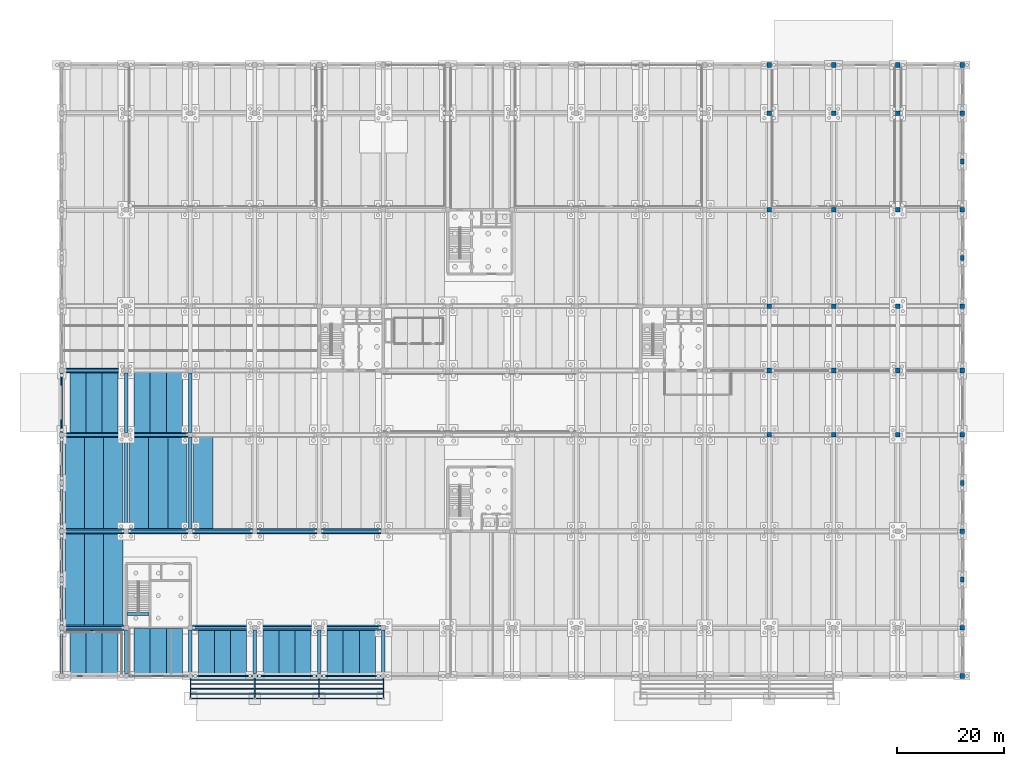
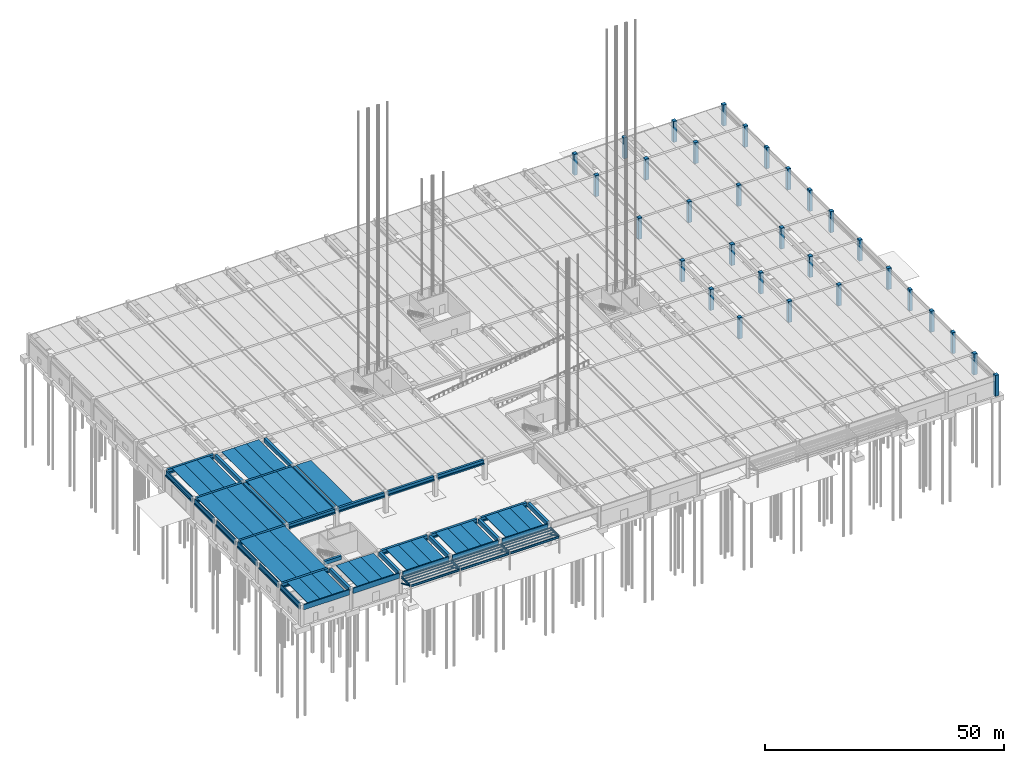
# One storey, part 12 of 59: 74 beams, 31 columns, 16 members.
"""IFC4 building model written with IfcOpenShell, lengths in metres."""

from ifc_helpers import new_model, si_unit, direction, frame, origin, origin_2d, place, context, subcontext, project, spatial, polyline, rectangle, hollow_rectangle, hollow_circle, i_section, outline, extrude, material, material_profile, profile_set, type_object, element, save


model = new_model("IFC4")

# Units and contexts
model_context = context("Model", 3, precision=1e-05, world=origin(), true_north=direction((0.0, 1.0)))
body_context = subcontext(model_context, "Body", "Model", "MODEL_VIEW")
ifc_project = project(units=[si_unit("LENGTHUNIT", "METRE"), si_unit("AREAUNIT", "SQUARE_METRE"), si_unit("VOLUMEUNIT", "CUBIC_METRE"), si_unit("PLANEANGLEUNIT", "RADIAN"), si_unit("MASSUNIT", "GRAM", prefix="KILO")], contexts=[model_context])

# Site, building, storey
site_placement = place(None, origin())
site = spatial("IfcSite", under=ifc_project, at=site_placement, CompositionType="ELEMENT")
building_placement = place(site_placement, origin())
building = spatial("IfcBuilding", under=site, at=building_placement, Name="Girod Span Mobility Hub", CompositionType="ELEMENT")
storey_placement = place(building_placement, origin())
storey = spatial("IfcBuildingStorey", under=building, at=storey_placement, Name="L00", CompositionType="ELEMENT", Elevation=0.0)

# Columns
ifc_material_1 = material(Name="Concrete C40/50", Category="concrete")
ifc_material_profile_1 = material_profile(ifc_material_1, rectangle(XDim=0.85009765625, YDim=0.85009765625, at=origin_2d()), Name="PC-COL-850X850")
ifc_profile_set_1 = profile_set([ifc_material_profile_1], Name="Concrete C40/50")
column_type_1 = type_object("IfcColumnType", Name="COL-PC-850X850", PredefinedType="COLUMN", material=ifc_profile_set_1)
for number, where, z_axis, x_axis, name in (
    (1, (132.0, 45.0, 0.0), (0.0, 0.0, 1.0), (1.0, 0.0, 0.0), "Column 12D L00"),
    (2, (132.0, 57.0, 0.0), (0.0, 0.0, 1.0), (1.0, 0.0, 0.0), "Column 12E L00"),
    (3, (132.0, 69.0, 0.0), (0.0, 0.0, 1.0), (1.0, 0.0, 0.0), "Column 12F L00"),
    (4, (132.0, 87.0, 0.0), (0.0, 0.0, 1.0), (1.0, 0.0, 0.0), "Column 12G L00"),
    (5, (132.0, 105.0, 0.0), (0.0, 0.0, 1.0), (1.0, 0.0, 0.0), "Column 12H L00"),
    (6, (132.0, 114.0, 0.0), (0.0, 0.0, 1.0), (1.0, 0.0, 0.0), "Column 12J L00"),
    (7, (144.0, 45.0, 0.0), (0.0, 0.0, 1.0), (1.0, 0.0, 0.0), "Column 13D L00"),
    (8, (144.0, 57.0, 0.0), (0.0, 0.0, 1.0), (1.0, 0.0, 0.0), "Column 13E L00"),
    (9, (144.0, 69.0, 0.0), (0.0, 0.0, 1.0), (1.0, 0.0, 0.0), "Column 13F L00"),
    (10, (144.0, 87.0, 0.0), (0.0, 0.0, 1.0), (1.0, 0.0, 0.0), "Column 13G L00"),
    (11, (144.0, 105.0, 0.0), (0.0, 0.0, 1.0), (1.0, 0.0, 0.0), "Column 13H L00"),
    (12, (144.0, 114.0, 0.0), (0.0, 0.0, 1.0), (1.0, 0.0, 0.0), "Column 13J L00"),
    (13, (156.0, 45.0, 0.0), (0.0, 0.0, 1.0), (1.0, 0.0, 0.0), "Column 14D L00"),
    (14, (156.0, 57.0, 0.0), (0.0, 0.0, 1.0), (1.0, 0.0, 0.0), "Column 14E L00"),
    (15, (156.0, 69.0, 0.0), (0.0, 0.0, 1.0), (1.0, 0.0, 0.0), "Column 14F L00"),
    (16, (156.0, 87.0, 0.0), (0.0, 0.0, 1.0), (1.0, 0.0, 0.0), "Column 14G L00"),
    (17, (156.0, 105.0, 0.0), (0.0, 0.0, 1.0), (1.0, 0.0, 0.0), "Column 14H L00"),
    (18, (156.0, 114.0, 0.0), (0.0, 0.0, 1.0), (1.0, 0.0, 0.0), "Column 14J L00"),
    (19, (168.0, 0.0, 0.0), (0.0, 0.0, 1.0), (1.0, 0.0, 0.0), "Column 15A L00"),
    (20, (168.0, 9.0, 0.0), (0.0, 0.0, 1.0), (1.0, 0.0, 0.0), "Column 15B L00"),
    (21, (168.0, 27.0, 0.0), (0.0, 0.0, 1.0), (1.0, 0.0, 0.0), "Column 15C L00"),
    (22, (168.0, 45.0, 0.0), (0.0, 0.0, 1.0), (1.0, 0.0, 0.0), "Column 15D L00"),
    (23, (168.0, 57.0, 0.0), (0.0, 0.0, 1.0), (1.0, 0.0, 0.0), "Column 15E L00"),
    (24, (168.0, 69.0, 0.0), (0.0, 0.0, 1.0), (1.0, 0.0, 0.0), "Column 15F L00"),
    (25, (168.0, 87.0, 0.0), (0.0, 0.0, 1.0), (1.0, 0.0, 0.0), "Column 15G L00"),
    (26, (168.0, 105.0, 0.0), (0.0, 0.0, 1.0), (1.0, 0.0, 0.0), "Column 15H L00"),
    (27, (168.0, 114.0, 0.0), (0.0, 0.0, 1.0), (1.0, 0.0, 0.0), "Column 15J L00"),
):
    element("IfcColumn", number, at=place(storey_placement, frame(where, z_axis=z_axis, x_axis=x_axis)), inside=storey, type_object=column_type_1, Name=name, PredefinedType="COLUMN", context=body_context, shape_type="SweptSolid", body=[
        extrude(rectangle(XDim=0.85009765625, YDim=0.85009765625, at=origin_2d()), origin(), (0.0, 0.0, 1.0), 5.39990234375),
    ])
ifc_material_2 = material(Name="Concrete C40/50", Category="concrete")
ifc_material_profile_2 = material_profile(ifc_material_2, rectangle(XDim=0.699951171875, YDim=0.949951171875, at=origin_2d()), Name="PC-PIL-700X950")
ifc_profile_set_2 = profile_set([ifc_material_profile_2], Name="Concrete C40/50")
column_type_2 = type_object("IfcColumnType", Name="PIL-PC-700X950", PredefinedType="PILASTER", material=ifc_profile_set_2)
for number, where, z_axis, x_axis, name in (
    (28, (168.0, 18.0, 0.0), (0.0, 0.0, 1.0), (1.0, 0.0, 0.0), "Precast Pilaster PIL-E-18 L00"),
    (29, (168.0, 36.0, 0.0), (0.0, 0.0, 1.0), (1.0, 0.0, 0.0), "Precast Pilaster PIL-E-36 L00"),
    (30, (168.0, 78.0, 0.0), (0.0, 0.0, 1.0), (1.0, 0.0, 0.0), "Precast Pilaster PIL-E-78 L00"),
    (31, (168.0, 96.0, 0.0), (0.0, 0.0, 1.0), (1.0, 0.0, 0.0), "Precast Pilaster PIL-E-96 L00"),
):
    element("IfcColumn", number, at=place(storey_placement, frame(where, z_axis=z_axis, x_axis=x_axis)), inside=storey, type_object=column_type_2, Name=name, PredefinedType="PILASTER", context=body_context, shape_type="SweptSolid", body=[
        extrude(rectangle(XDim=0.699951171875, YDim=0.949951171875, at=origin_2d()), origin(), (0.0, 0.0, 1.0), 5.39990234375),
    ])

# Beams
ifc_material_3 = material(Name="Concrete C50/60", Category="concrete")
ifc_material_profile_3 = material_profile(ifc_material_3, outline(polyline([(-1.5, 0.35009765625), (-1.5, 0.2548828125), (-0.840087890625, 0.2548828125), (-0.81494140625, -0.35009765625), (-0.68505859375, -0.35009765625), (-0.659912109375, 0.2548828125), (0.659912109375, 0.2548828125), (0.68505859375, -0.35009765625), (0.81494140625, -0.35009765625), (0.840087890625, 0.2548828125), (1.5, 0.2548828125), (1.5, 0.35009765625), (-1.5, 0.35009765625)])), Name="DT-3000X700")
ifc_profile_set_3 = profile_set([ifc_material_profile_3], Name="Concrete C50/60")
beam_type_1 = type_object("IfcBeamType", Name="BM-DT-3000X700", PredefinedType="JOIST", material=ifc_profile_set_3)
for number, where, z_axis, x_axis, name in (
    (32, (3.0, 0.02197265625, 4.85009765625), (0.0, 1.0, 0.0), (-1.0, 0.0, 0.0), "Double-Tee Deck 1/A-1 L00"),
    (33, (6.0, 0.02197265625, 4.85009765625), (0.0, 1.0, 0.0), (-1.0, 0.0, 0.0), "Double-Tee Deck 1/A-2 L00"),
    (34, (9.0, 0.02197265625, 4.85009765625), (0.0, 1.0, 0.0), (-1.0, 0.0, 0.0), "Double-Tee Deck 1/A-3 L00"),
):
    element("IfcBeam", number, at=place(storey_placement, frame(where, z_axis=z_axis, x_axis=x_axis)), inside=storey, type_object=beam_type_1, Name=name, PredefinedType="JOIST", context=body_context, shape_type="SweptSolid", body=[
        extrude(outline(polyline([(-1.5, 0.35009765625), (-1.5, 0.2548828125), (-0.840087890625, 0.2548828125), (-0.81494140625, -0.35009765625), (-0.68505859375, -0.35009765625), (-0.659912109375, 0.2548828125), (0.659912109375, 0.2548828125), (0.68505859375, -0.35009765625), (0.81494140625, -0.35009765625), (0.840087890625, 0.2548828125), (1.5, 0.2548828125), (1.5, 0.35009765625), (-1.5, 0.35009765625)])), origin(), (0.0, 0.0, 1.0), 8.7060546875),
    ])
for number, where, z_axis, x_axis, name in (
    (35, (3.0, 45.27197265625, 4.85009765625), (0.0, 1.0, 0.0), (-1.0, 0.0, 0.0), "Double-Tee Deck 1/D-1 L00"),
    (36, (6.0, 45.27197265625, 4.85009765625), (0.0, 1.0, 0.0), (-1.0, 0.0, 0.0), "Double-Tee Deck 1/D-2 L00"),
    (37, (9.0, 45.27197265625, 4.85009765625), (0.0, 1.0, 0.0), (-1.0, 0.0, 0.0), "Double-Tee Deck 1/D-3 L00"),
):
    element("IfcBeam", number, at=place(storey_placement, frame(where, z_axis=z_axis, x_axis=x_axis)), inside=storey, type_object=beam_type_1, Name=name, PredefinedType="JOIST", context=body_context, shape_type="SweptSolid", body=[
        extrude(outline(polyline([(-1.5, 0.35009765625), (-1.5, 0.2548828125), (-0.840087890625, 0.2548828125), (-0.81494140625, -0.35009765625), (-0.68505859375, -0.35009765625), (-0.659912109375, 0.2548828125), (0.659912109375, 0.2548828125), (0.68505859375, -0.35009765625), (0.81494140625, -0.35009765625), (0.840087890625, 0.2548828125), (1.5, 0.2548828125), (1.5, 0.35009765625), (-1.5, 0.35009765625)])), origin(), (0.0, 0.0, 1.0), 11.4560546875),
    ])
for number, where, z_axis, x_axis, name in (
    (38, (15.0, 0.02197265625, 4.85009765625), (0.0, 1.0, 0.0), (-1.0, 0.0, 0.0), "Double-Tee Deck 2/A-1 L00"),
    (39, (18.0, 0.02197265625, 4.85009765625), (0.0, 1.0, 0.0), (-1.0, 0.0, 0.0), "Double-Tee Deck 2/A-2 L00"),
    (40, (21.0, 0.02197265625, 4.85009765625), (0.0, 1.0, 0.0), (-1.0, 0.0, 0.0), "Double-Tee Deck 2/A-3 L00"),
):
    element("IfcBeam", number, at=place(storey_placement, frame(where, z_axis=z_axis, x_axis=x_axis)), inside=storey, type_object=beam_type_1, Name=name, PredefinedType="JOIST", context=body_context, shape_type="SweptSolid", body=[
        extrude(outline(polyline([(-1.5, 0.35009765625), (-1.5, 0.2548828125), (-0.840087890625, 0.2548828125), (-0.81494140625, -0.35009765625), (-0.68505859375, -0.35009765625), (-0.659912109375, 0.2548828125), (0.659912109375, 0.2548828125), (0.68505859375, -0.35009765625), (0.81494140625, -0.35009765625), (0.840087890625, 0.2548828125), (1.5, 0.2548828125), (1.5, 0.35009765625), (-1.5, 0.35009765625)])), origin(), (0.0, 0.0, 1.0), 8.805908203125),
    ])
for number, where, z_axis, x_axis, name in (
    (41, (15.0, 45.27197265625, 4.85009765625), (0.0, 1.0, 0.0), (-1.0, 0.0, 0.0), "Double-Tee Deck 2/D-1 L00"),
    (42, (18.0, 45.27197265625, 4.85009765625), (0.0, 1.0, 0.0), (-1.0, 0.0, 0.0), "Double-Tee Deck 2/D-2 L00"),
    (43, (21.0, 45.27197265625, 4.85009765625), (0.0, 1.0, 0.0), (-1.0, 0.0, 0.0), "Double-Tee Deck 2/D-3 L00"),
):
    element("IfcBeam", number, at=place(storey_placement, frame(where, z_axis=z_axis, x_axis=x_axis)), inside=storey, type_object=beam_type_1, Name=name, PredefinedType="JOIST", context=body_context, shape_type="SweptSolid", body=[
        extrude(outline(polyline([(-1.5, 0.35009765625), (-1.5, 0.2548828125), (-0.840087890625, 0.2548828125), (-0.81494140625, -0.35009765625), (-0.68505859375, -0.35009765625), (-0.659912109375, 0.2548828125), (0.659912109375, 0.2548828125), (0.68505859375, -0.35009765625), (0.81494140625, -0.35009765625), (0.840087890625, 0.2548828125), (1.5, 0.2548828125), (1.5, 0.35009765625), (-1.5, 0.35009765625)])), origin(), (0.0, 0.0, 1.0), 11.4560546875),
    ])
for number, where, z_axis, x_axis, name in (
    (44, (27.0, 0.02197265625, 4.85009765625), (0.0, 1.0, 0.0), (-1.0, 0.0, 0.0), "Double-Tee Deck 3/A-1 L00"),
    (45, (30.0, 0.02197265625, 4.85009765625), (0.0, 1.0, 0.0), (-1.0, 0.0, 0.0), "Double-Tee Deck 3/A-2 L00"),
    (46, (33.0, 0.02197265625, 4.85009765625), (0.0, 1.0, 0.0), (-1.0, 0.0, 0.0), "Double-Tee Deck 3/A-3 L00"),
    (47, (39.0, 0.02197265625, 4.85009765625), (0.0, 1.0, 0.0), (-1.0, 0.0, 0.0), "Double-Tee Deck 4/A-1 L00"),
    (48, (42.0, 0.02197265625, 4.85009765625), (0.0, 1.0, 0.0), (-1.0, 0.0, 0.0), "Double-Tee Deck 4/A-2 L00"),
    (49, (45.0, 0.02197265625, 4.85009765625), (0.0, 1.0, 0.0), (-1.0, 0.0, 0.0), "Double-Tee Deck 4/A-3 L00"),
    (50, (51.0, 0.02197265625, 4.85009765625), (0.0, 1.0, 0.0), (-1.0, 0.0, 0.0), "Double-Tee Deck 5/A-1 L00"),
    (51, (54.0, 0.02197265625, 4.85009765625), (0.0, 1.0, 0.0), (-1.0, 0.0, 0.0), "Double-Tee Deck 5/A-2 L00"),
    (52, (57.0, 0.02197265625, 4.85009765625), (0.0, 1.0, 0.0), (-1.0, 0.0, 0.0), "Double-Tee Deck 5/A-3 L00"),
):
    element("IfcBeam", number, at=place(storey_placement, frame(where, z_axis=z_axis, x_axis=x_axis)), inside=storey, type_object=beam_type_1, Name=name, PredefinedType="JOIST", context=body_context, shape_type="SweptSolid", body=[
        extrude(outline(polyline([(-1.5, 0.35009765625), (-1.5, 0.2548828125), (-0.840087890625, 0.2548828125), (-0.81494140625, -0.35009765625), (-0.68505859375, -0.35009765625), (-0.659912109375, 0.2548828125), (0.659912109375, 0.2548828125), (0.68505859375, -0.35009765625), (0.81494140625, -0.35009765625), (0.840087890625, 0.2548828125), (1.5, 0.2548828125), (1.5, 0.35009765625), (-1.5, 0.35009765625)])), origin(), (0.0, 0.0, 1.0), 8.7060546875),
    ])
ifc_material_4 = material(Name="Concrete C50/60", Category="concrete")
ifc_material_profile_4 = material_profile(ifc_material_4, outline(polyline([(-1.800048828125, 0.47509765625), (-1.800048828125, 0.364990234375), (-1.010009765625, 0.364990234375), (-0.97509765625, -0.47509765625), (-0.824951171875, -0.47509765625), (-0.7900390625, 0.364990234375), (0.7900390625, 0.364990234375), (0.824951171875, -0.47509765625), (0.97509765625, -0.47509765625), (1.010009765625, 0.364990234375), (1.800048828125, 0.364990234375), (1.800048828125, 0.47509765625), (-1.800048828125, 0.47509765625)])), Name="DT-3600X950")
ifc_profile_set_4 = profile_set([ifc_material_profile_4], Name="Concrete C50/60")
beam_type_2 = type_object("IfcBeamType", Name="BM-DT-3600X950", PredefinedType="JOIST", material=ifc_profile_set_4)
for number, where, z_axis, x_axis, name in (
    (53, (2.39990234375, 9.27197265625, 4.72509765625), (0.0, 1.0, 0.0), (-1.0, 0.0, 0.0), "Double-Tee Deck 1/B-1 L00"),
    (54, (6.0, 9.27197265625, 4.72509765625), (0.0, 1.0, 0.0), (-1.0, 0.0, 0.0), "Double-Tee Deck 1/B-2 L00"),
    (55, (9.60009765625, 9.27197265625, 4.72509765625), (0.0, 1.0, 0.0), (-1.0, 0.0, 0.0), "Double-Tee Deck 1/B-3 L00"),
    (56, (2.39990234375, 27.27197265625, 4.72509765625), (0.0, 1.0, 0.0), (-1.0, 0.0, 0.0), "Double-Tee Deck 1/C-1 L00"),
    (57, (6.0, 27.27197265625, 4.72509765625), (0.0, 1.0, 0.0), (-1.0, 0.0, 0.0), "Double-Tee Deck 1/C-2 L00"),
    (58, (9.60009765625, 27.27197265625, 4.72509765625), (0.0, 1.0, 0.0), (-1.0, 0.0, 0.0), "Double-Tee Deck 1/C-3 L00"),
    (59, (14.39990234375, 27.27197265625, 4.72509765625), (0.0, 1.0, 0.0), (-1.0, 0.0, 0.0), "Double-Tee Deck 2/C-1 L00"),
    (60, (18.0, 27.27197265625, 4.72509765625), (0.0, 1.0, 0.0), (-1.0, 0.0, 0.0), "Double-Tee Deck 2/C-2 L00"),
    (61, (21.60009765625, 27.27197265625, 4.72509765625), (0.0, 1.0, 0.0), (-1.0, 0.0, 0.0), "Double-Tee Deck 2/C-3 L00"),
    (62, (26.39990234375, 27.27197265625, 4.72509765625), (0.0, 1.0, 0.0), (-1.0, 0.0, 0.0), "Double-Tee Deck 3/C-1 L00"),
):
    element("IfcBeam", number, at=place(storey_placement, frame(where, z_axis=z_axis, x_axis=x_axis)), inside=storey, type_object=beam_type_2, Name=name, PredefinedType="JOIST", context=body_context, shape_type="SweptSolid", body=[
        extrude(outline(polyline([(-1.800048828125, 0.47509765625), (-1.800048828125, 0.364990234375), (-1.010009765625, 0.364990234375), (-0.97509765625, -0.47509765625), (-0.824951171875, -0.47509765625), (-0.7900390625, 0.364990234375), (0.7900390625, 0.364990234375), (0.824951171875, -0.47509765625), (0.97509765625, -0.47509765625), (1.010009765625, 0.364990234375), (1.800048828125, 0.364990234375), (1.800048828125, 0.47509765625), (-1.800048828125, 0.47509765625)])), origin(), (0.0, 0.0, 1.0), 17.4560546875),
    ])
ifc_material_5 = material(Name="Concrete C50/60", Category="concrete")
ifc_material_profile_5 = material_profile(ifc_material_5, outline(polyline([(-0.47509765625, -0.52490234375), (0.47509765625, -0.52490234375), (0.47509765625, -0.175048828125), (0.27490234375, -0.175048828125), (0.27490234375, 0.52490234375), (-0.27490234375, 0.52490234375), (-0.27490234375, -0.175048828125), (-0.47509765625, -0.175048828125), (-0.47509765625, -0.52490234375)])), Name="IT-950X1050")
ifc_profile_set_5 = profile_set([ifc_material_profile_5], Name="Concrete C50/60")
beam_type_3 = type_object("IfcBeamType", Name="BM-IT-950X1050", PredefinedType="T_BEAM", material=ifc_profile_set_5)
for number, where, z_axis, x_axis, name in (
    (63, (0.422119140625, 9.0, 4.675048828125), (1.0, 0.0, 0.0), (0.0, 1.0, 0.0), "Girder 1-2/B L00"),
    (64, (24.422119140625, 9.0, 4.675048828125), (1.0, 0.0, 0.0), (0.0, 1.0, 0.0), "Girder 3-4/B L00"),
    (65, (36.422119140625, 9.0, 4.675048828125), (1.0, 0.0, 0.0), (0.0, 1.0, 0.0), "Girder 4-5/B L00"),
    (66, (48.422119140625, 9.0, 4.675048828125), (1.0, 0.0, 0.0), (0.0, 1.0, 0.0), "Girder 5-6/B L00"),
    (67, (0.422119140625, 27.0, 4.675048828125), (1.0, 0.0, 0.0), (0.0, 1.0, 0.0), "Girder 1-2/C L00"),
    (68, (12.422119140625, 27.0, 4.675048828125), (1.0, 0.0, 0.0), (0.0, 1.0, 0.0), "Girder 2-3/C L00"),
    (69, (24.422119140625, 27.0, 4.675048828125), (1.0, 0.0, 0.0), (0.0, 1.0, 0.0), "Girder 3-4/C L00"),
    (70, (36.422119140625, 27.0, 4.675048828125), (1.0, 0.0, 0.0), (0.0, 1.0, 0.0), "Girder 4-5/C L00"),
    (71, (48.422119140625, 27.0, 4.675048828125), (1.0, 0.0, 0.0), (0.0, 1.0, 0.0), "Girder 5-6/C L00"),
    (72, (0.422119140625, 45.0, 4.675048828125), (1.0, 0.0, 0.0), (0.0, 1.0, 0.0), "Girder 1-2/D L00"),
    (73, (12.422119140625, 45.0, 4.675048828125), (1.0, 0.0, 0.0), (0.0, 1.0, 0.0), "Girder 2-3/D L00"),
    (74, (0.422119140625, 57.0, 4.675048828125), (1.0, 0.0, 0.0), (0.0, 1.0, 0.0), "Girder 1-2/E L00"),
):
    element("IfcBeam", number, at=place(storey_placement, frame(where, z_axis=z_axis, x_axis=x_axis)), inside=storey, type_object=beam_type_3, Name=name, PredefinedType="T_BEAM", context=body_context, shape_type="SweptSolid", body=[
        extrude(outline(polyline([(-0.47509765625, -0.52490234375), (0.47509765625, -0.52490234375), (0.47509765625, -0.175048828125), (0.27490234375, -0.175048828125), (0.27490234375, 0.52490234375), (-0.27490234375, 0.52490234375), (-0.27490234375, -0.175048828125), (-0.47509765625, -0.175048828125), (-0.47509765625, -0.52490234375)])), origin(), (0.0, 0.0, 1.0), 11.15576171875),
    ])
ifc_material_6 = material(Name="Steel HSS A500 Grade C", Category="steel")
ifc_material_profile_6 = material_profile(ifc_material_6, hollow_rectangle(XDim=0.152099609375, YDim=0.152099609375, WallThickness=0.0087890625, InnerFilletRadius=0.0087890625, OuterFilletRadius=0.017578125, at=origin_2d()), Name="HSS152X152X9.5")
ifc_profile_set_6 = profile_set([ifc_material_profile_6], Name="Steel HSS A500 Grade C")
beam_type_4 = type_object("IfcBeamType", Name="BM-LTL-HSS152", PredefinedType="LINTEL", material=ifc_profile_set_6)
for number, where, z_axis, x_axis, name in (
    (75, (24.422119140625, 0.0, 3.72412109375), (1.0, 0.0, 0.0), (0.0, 1.0, 0.0), "Boulevard Portal Lintel LTL-1"),
    (76, (36.422119140625, 0.0, 3.72412109375), (1.0, 0.0, 0.0), (0.0, 1.0, 0.0), "Boulevard Portal Lintel LTL-2"),
    (77, (48.422119140625, 0.0, 3.72412109375), (1.0, 0.0, 0.0), (0.0, 1.0, 0.0), "Boulevard Portal Lintel LTL-3"),
):
    element("IfcBeam", number, at=place(storey_placement, frame(where, z_axis=z_axis, x_axis=x_axis)), inside=storey, type_object=beam_type_4, Name=name, PredefinedType="LINTEL", context=body_context, shape_type="SweptSolid", body=[
        extrude(hollow_rectangle(XDim=0.152099609375, YDim=0.152099609375, WallThickness=0.0087890625, InnerFilletRadius=0.0087890625, OuterFilletRadius=0.017578125, at=origin_2d()), origin(), (0.0, 0.0, 1.0), 11.15576171875),
    ])
ifc_material_7 = material(Name="Concrete C40/50", Category="concrete")
ifc_material_profile_7 = material_profile(ifc_material_7, rectangle(XDim=0.550048828125, YDim=0.949951171875, at=origin_2d()), Name="RK-550X950")
ifc_profile_set_7 = profile_set([ifc_material_profile_7], Name="Concrete C40/50")
beam_type_5 = type_object("IfcBeamType", Name="BM-RK-550X950", PredefinedType="BEAM", material=ifc_profile_set_7)
beam_1_placement = place(storey_placement, frame((12.172119140625, 11.550048828125, 4.72509765625), z_axis=(1.0, 0.0, 0.0), x_axis=(0.0, 1.0, 0.0)))
element("IfcBeam", 78, at=beam_1_placement, inside=storey, type_object=beam_type_5, Name="Stair ST-5 Landing Header Beam L00", PredefinedType="BEAM", context=body_context, shape_type="SweptSolid", body=[
    extrude(rectangle(XDim=0.550048828125, YDim=0.949951171875, at=origin_2d()), origin(), (0.0, 0.0, 1.0), 4.130859375),
])
ifc_material_8 = material(Name="Concrete C40/50", Category="concrete")
ifc_material_profile_8 = material_profile(ifc_material_8, outline(polyline([(-0.22509765625, -0.675048828125), (0.22509765625, -0.675048828125), (0.22509765625, -0.324951171875), (0.02490234375, -0.324951171875), (0.02490234375, 0.675048828125), (-0.22509765625, 0.675048828125), (-0.22509765625, -0.675048828125)])), Name="SP-450X1350")
ifc_profile_set_8 = profile_set([ifc_material_profile_8], Name="Concrete C40/50")
beam_type_6 = type_object("IfcBeamType", Name="BM-SP-450X1350", PredefinedType="SPANDREL", material=ifc_profile_set_8)
for number, where, z_axis, x_axis, name in (
    (79, (0.422119140625, 0.0, 4.52490234375), (1.0, 0.0, 0.0), (0.0, 1.0, 0.0), "Girder 1-2/A L00"),
    (80, (12.422119140625, 0.0, 4.52490234375), (1.0, 0.0, 0.0), (0.0, 1.0, 0.0), "Girder 2-3/A L00"),
    (81, (24.422119140625, 0.0, 4.52490234375), (1.0, 0.0, 0.0), (0.0, 1.0, 0.0), "Girder 3-4/A L00"),
    (82, (36.422119140625, 0.0, 4.52490234375), (1.0, 0.0, 0.0), (0.0, 1.0, 0.0), "Girder 4-5/A L00"),
    (83, (48.422119140625, 0.0, 4.52490234375), (1.0, 0.0, 0.0), (0.0, 1.0, 0.0), "Girder 5-6/A L00"),
):
    element("IfcBeam", number, at=place(storey_placement, frame(where, z_axis=z_axis, x_axis=x_axis)), inside=storey, type_object=beam_type_6, Name=name, PredefinedType="SPANDREL", context=body_context, shape_type="SweptSolid", body=[
        extrude(outline(polyline([(-0.22509765625, -0.675048828125), (0.22509765625, -0.675048828125), (0.22509765625, -0.324951171875), (0.02490234375, -0.324951171875), (0.02490234375, 0.675048828125), (-0.22509765625, 0.675048828125), (-0.22509765625, -0.675048828125)])), origin(), (0.0, 0.0, 1.0), 11.15576171875),
    ])
beam_2_placement = place(storey_placement, frame((0.0, 0.422119140625, 4.52490234375), z_axis=(0.0, 1.0, 0.0), x_axis=(-1.0, 0.0, 0.0)))
element("IfcBeam", 84, at=beam_2_placement, inside=storey, type_object=beam_type_6, Name="Tie Girder 1/A-B L00", PredefinedType="SPANDREL", context=body_context, shape_type="SweptSolid", body=[
    extrude(outline(polyline([(-0.22509765625, -0.675048828125), (0.22509765625, -0.675048828125), (0.22509765625, -0.324951171875), (0.02490234375, -0.324951171875), (0.02490234375, 0.675048828125), (-0.22509765625, 0.675048828125), (-0.22509765625, -0.675048828125)])), origin(), (0.0, 0.0, 1.0), 8.15576171875),
])
for number, where, z_axis, x_axis, name in (
    (85, (0.0, 9.422119140625, 4.52490234375), (0.0, 1.0, 0.0), (-1.0, 0.0, 0.0), "Perimeter Spandrel 1/B-S L00"),
    (86, (0.0, 18.471923828125, 4.52490234375), (0.0, 1.0, 0.0), (-1.0, 0.0, 0.0), "Perimeter Spandrel 1/B-N L00"),
    (87, (0.0, 27.422119140625, 4.52490234375), (0.0, 1.0, 0.0), (-1.0, 0.0, 0.0), "Perimeter Spandrel 1/C-S L00"),
    (88, (0.0, 36.471923828125, 4.52490234375), (0.0, 1.0, 0.0), (-1.0, 0.0, 0.0), "Perimeter Spandrel 1/C-N L00"),
):
    element("IfcBeam", number, at=place(storey_placement, frame(where, z_axis=z_axis, x_axis=x_axis)), inside=storey, type_object=beam_type_6, Name=name, PredefinedType="SPANDREL", context=body_context, shape_type="SweptSolid", body=[
        extrude(outline(polyline([(-0.22509765625, -0.675048828125), (0.22509765625, -0.675048828125), (0.22509765625, -0.324951171875), (0.02490234375, -0.324951171875), (0.02490234375, 0.675048828125), (-0.22509765625, 0.675048828125), (-0.22509765625, -0.675048828125)])), origin(), (0.0, 0.0, 1.0), 8.10595703125),
    ])
beam_3_placement = place(storey_placement, frame((0.0, 45.422119140625, 4.52490234375), z_axis=(0.0, 1.0, 0.0), x_axis=(-1.0, 0.0, 0.0)))
element("IfcBeam", 89, at=beam_3_placement, inside=storey, type_object=beam_type_6, Name="Tie Girder 1/D-E L00", PredefinedType="SPANDREL", context=body_context, shape_type="SweptSolid", body=[
    extrude(outline(polyline([(-0.22509765625, -0.675048828125), (0.22509765625, -0.675048828125), (0.22509765625, -0.324951171875), (0.02490234375, -0.324951171875), (0.02490234375, 0.675048828125), (-0.22509765625, 0.675048828125), (-0.22509765625, -0.675048828125)])), origin(), (0.0, 0.0, 1.0), 11.15576171875),
])
ifc_material_9 = material(Name="Steel A992 Grade 50", Category="steel")
ifc_material_profile_9 = material_profile(ifc_material_9, i_section(OverallWidth=0.2119140625, OverallDepth=0.5439453125, WebThickness=0.01318359375, FlangeThickness=0.021240234375, FilletRadius=0.014892578125, at=origin_2d()), Name="W21X83")
ifc_profile_set_9 = profile_set([ifc_material_profile_9], Name="Steel A992 Grade 50")
beam_type_7 = type_object("IfcBeamType", Name="BM-STL-W21X83", PredefinedType="SPANDREL", material=ifc_profile_set_9)
for number, where, z_axis, x_axis, name in (
    (90, (24.0, -4.041015625, 4.14794921875), (0.0, 1.0, 0.0), (-1.0, 0.0, 0.0), "Canopy Tie Girder W-1"),
    (91, (36.0, -4.041015625, 4.14794921875), (0.0, 1.0, 0.0), (-1.0, 0.0, 0.0), "Canopy Tie Girder W-2"),
    (92, (48.0, -4.041015625, 4.14794921875), (0.0, 1.0, 0.0), (-1.0, 0.0, 0.0), "Canopy Tie Girder W-3"),
    (93, (60.0, -4.041015625, 4.14794921875), (0.0, 1.0, 0.0), (-1.0, 0.0, 0.0), "Canopy Tie Girder W-4"),
):
    element("IfcBeam", number, at=place(storey_placement, frame(where, z_axis=z_axis, x_axis=x_axis)), inside=storey, type_object=beam_type_7, Name=name, PredefinedType="BEAM", context=body_context, shape_type="SweptSolid", body=[
        extrude(i_section(OverallWidth=0.2119140625, OverallDepth=0.5439453125, WebThickness=0.01318359375, FlangeThickness=0.021240234375, FilletRadius=0.014892578125, at=origin_2d()), origin(), (0.0, 0.0, 1.0), 3.618896484375),
    ])
for number, where, z_axis, x_axis, name in (
    (94, (24.158935546875, -4.199951171875, 4.14794921875), (1.0, 0.0, 0.0), (0.0, 1.0, 0.0), "Canopy Edge Spandrel W-1"),
    (95, (36.158935546875, -4.199951171875, 4.14794921875), (1.0, 0.0, 0.0), (0.0, 1.0, 0.0), "Canopy Edge Spandrel W-2"),
    (96, (48.158935546875, -4.199951171875, 4.14794921875), (1.0, 0.0, 0.0), (0.0, 1.0, 0.0), "Canopy Edge Spandrel W-3"),
):
    element("IfcBeam", number, at=place(storey_placement, frame(where, z_axis=z_axis, x_axis=x_axis)), inside=storey, type_object=beam_type_7, Name=name, PredefinedType="SPANDREL", context=body_context, shape_type="SweptSolid", body=[
        extrude(i_section(OverallWidth=0.2119140625, OverallDepth=0.5439453125, WebThickness=0.01318359375, FlangeThickness=0.021240234375, FilletRadius=0.014892578125, at=origin_2d()), origin(), (0.0, 0.0, 1.0), 11.68212890625),
    ])
ifc_material_10 = material(Name="Concrete C40/50", Category="concrete")
ifc_material_profile_10 = material_profile(ifc_material_10, rectangle(XDim=0.64990234375, YDim=1.0, at=origin_2d()), Name="TG-650X1000")
ifc_profile_set_10 = profile_set([ifc_material_profile_10], Name="Concrete C40/50")
beam_type_8 = type_object("IfcBeamType", Name="BM-TG-650X1000", PredefinedType="T_BEAM", material=ifc_profile_set_10)
beam_4_placement = place(storey_placement, frame((12.0, 0.422119140625, 4.699951171875), z_axis=(0.0, 1.0, 0.0), x_axis=(-1.0, 0.0, 0.0)))
element("IfcBeam", 97, at=beam_4_placement, inside=storey, type_object=beam_type_8, Name="Tie Girder 2/A-B L00", PredefinedType="T_BEAM", context=body_context, shape_type="SweptSolid", body=[
    extrude(rectangle(XDim=0.64990234375, YDim=1.0, at=origin_2d()), origin(), (0.0, 0.0, 1.0), 8.15576171875),
])
beam_5_placement = place(storey_placement, frame((12.0, 27.422119140625, 4.699951171875), z_axis=(0.0, 1.0, 0.0), x_axis=(-1.0, 0.0, 0.0)))
element("IfcBeam", 98, at=beam_5_placement, inside=storey, type_object=beam_type_8, Name="Tie Girder 2/C-D L00", PredefinedType="T_BEAM", context=body_context, shape_type="SweptSolid", body=[
    extrude(rectangle(XDim=0.64990234375, YDim=1.0, at=origin_2d()), origin(), (0.0, 0.0, 1.0), 17.15576171875),
])
beam_6_placement = place(storey_placement, frame((12.0, 45.422119140625, 4.699951171875), z_axis=(0.0, 1.0, 0.0), x_axis=(-1.0, 0.0, 0.0)))
element("IfcBeam", 99, at=beam_6_placement, inside=storey, type_object=beam_type_8, Name="Tie Girder 2/D-E L00", PredefinedType="T_BEAM", context=body_context, shape_type="SweptSolid", body=[
    extrude(rectangle(XDim=0.64990234375, YDim=1.0, at=origin_2d()), origin(), (0.0, 0.0, 1.0), 11.15576171875),
])
beam_7_placement = place(storey_placement, frame((24.0, 0.422119140625, 4.699951171875), z_axis=(0.0, 1.0, 0.0), x_axis=(-1.0, 0.0, 0.0)))
element("IfcBeam", 100, at=beam_7_placement, inside=storey, type_object=beam_type_8, Name="Tie Girder 3/A-B L00", PredefinedType="T_BEAM", context=body_context, shape_type="SweptSolid", body=[
    extrude(rectangle(XDim=0.64990234375, YDim=1.0, at=origin_2d()), origin(), (0.0, 0.0, 1.0), 8.15576171875),
])
beam_8_placement = place(storey_placement, frame((24.0, 27.422119140625, 4.699951171875), z_axis=(0.0, 1.0, 0.0), x_axis=(-1.0, 0.0, 0.0)))
element("IfcBeam", 101, at=beam_8_placement, inside=storey, type_object=beam_type_8, Name="Tie Girder 3/C-D L00", PredefinedType="T_BEAM", context=body_context, shape_type="SweptSolid", body=[
    extrude(rectangle(XDim=0.64990234375, YDim=1.0, at=origin_2d()), origin(), (0.0, 0.0, 1.0), 17.15576171875),
])
beam_9_placement = place(storey_placement, frame((24.0, 45.422119140625, 4.699951171875), z_axis=(0.0, 1.0, 0.0), x_axis=(-1.0, 0.0, 0.0)))
element("IfcBeam", 102, at=beam_9_placement, inside=storey, type_object=beam_type_8, Name="Tie Girder 3/D-E L00", PredefinedType="T_BEAM", context=body_context, shape_type="SweptSolid", body=[
    extrude(rectangle(XDim=0.64990234375, YDim=1.0, at=origin_2d()), origin(), (0.0, 0.0, 1.0), 11.15576171875),
])
for number, where, z_axis, x_axis, name in (
    (103, (36.0, 0.422119140625, 4.699951171875), (0.0, 1.0, 0.0), (-1.0, 0.0, 0.0), "Tie Girder 4/A-B L00"),
    (104, (48.0, 0.422119140625, 4.699951171875), (0.0, 1.0, 0.0), (-1.0, 0.0, 0.0), "Tie Girder 5/A-B L00"),
    (105, (60.0, 0.422119140625, 4.699951171875), (0.0, 1.0, 0.0), (-1.0, 0.0, 0.0), "Tie Girder 6/A-B L00"),
):
    element("IfcBeam", number, at=place(storey_placement, frame(where, z_axis=z_axis, x_axis=x_axis)), inside=storey, type_object=beam_type_8, Name=name, PredefinedType="T_BEAM", context=body_context, shape_type="SweptSolid", body=[
        extrude(rectangle(XDim=0.64990234375, YDim=1.0, at=origin_2d()), origin(), (0.0, 0.0, 1.0), 8.15576171875),
    ])

# Members
ifc_material_11 = material(Name="Steel HSS A500 Grade C", Category="steel")
ifc_material_profile_11 = material_profile(ifc_material_11, hollow_rectangle(XDim=0.152099609375, YDim=0.152099609375, WallThickness=0.0087890625, InnerFilletRadius=0.0087890625, OuterFilletRadius=0.017578125, at=origin_2d()), Name="HSS152X152X9.5")
ifc_profile_set_11 = profile_set([ifc_material_profile_11], Name="Steel HSS A500 Grade C")
member_type_1 = type_object("IfcMemberType", Name="MB-PR-HSS152", PredefinedType="PURLIN", material=ifc_profile_set_11)
for number, where, z_axis, x_axis, name in (
    (106, (24.10302734375, -3.300048828125, 4.343994140625), (1.0, 0.0, 0.0), (0.0, 1.0, 0.0), "Canopy Purlin W-1-1"),
    (107, (24.10302734375, -2.39990234375, 4.343994140625), (1.0, 0.0, 0.0), (0.0, 1.0, 0.0), "Canopy Purlin W-1-2"),
    (108, (24.10302734375, -1.5, 4.343994140625), (1.0, 0.0, 0.0), (0.0, 1.0, 0.0), "Canopy Purlin W-1-3"),
    (109, (24.10302734375, -0.699951171875, 4.343994140625), (1.0, 0.0, 0.0), (0.0, 1.0, 0.0), "Canopy Purlin W-1-4"),
    (110, (36.10302734375, -3.300048828125, 4.343994140625), (1.0, 0.0, 0.0), (0.0, 1.0, 0.0), "Canopy Purlin W-2-1"),
    (111, (36.10302734375, -2.39990234375, 4.343994140625), (1.0, 0.0, 0.0), (0.0, 1.0, 0.0), "Canopy Purlin W-2-2"),
    (112, (36.10302734375, -1.5, 4.343994140625), (1.0, 0.0, 0.0), (0.0, 1.0, 0.0), "Canopy Purlin W-2-3"),
    (113, (36.10302734375, -0.699951171875, 4.343994140625), (1.0, 0.0, 0.0), (0.0, 1.0, 0.0), "Canopy Purlin W-2-4"),
    (114, (48.10302734375, -3.300048828125, 4.343994140625), (1.0, 0.0, 0.0), (0.0, 1.0, 0.0), "Canopy Purlin W-3-1"),
    (115, (48.10302734375, -2.39990234375, 4.343994140625), (1.0, 0.0, 0.0), (0.0, 1.0, 0.0), "Canopy Purlin W-3-2"),
    (116, (48.10302734375, -1.5, 4.343994140625), (1.0, 0.0, 0.0), (0.0, 1.0, 0.0), "Canopy Purlin W-3-3"),
    (117, (48.10302734375, -0.699951171875, 4.343994140625), (1.0, 0.0, 0.0), (0.0, 1.0, 0.0), "Canopy Purlin W-3-4"),
):
    element("IfcMember", number, at=place(storey_placement, frame(where, z_axis=z_axis, x_axis=x_axis)), inside=storey, type_object=member_type_1, Name=name, PredefinedType="PURLIN", context=body_context, shape_type="SweptSolid", body=[
        extrude(hollow_rectangle(XDim=0.152099609375, YDim=0.152099609375, WallThickness=0.0087890625, InnerFilletRadius=0.0087890625, OuterFilletRadius=0.017578125, at=origin_2d()), origin(), (0.0, 0.0, 1.0), 11.7939453125),
    ])
ifc_material_12 = material(Name="Steel HSS A500 Grade C", Category="steel")
ifc_material_profile_12 = material_profile(ifc_material_12, hollow_circle(Radius=0.109619140625, WallThickness=0.0087890625, at=origin_2d()), Name="HSS219X9.5")
ifc_profile_set_12 = profile_set([ifc_material_profile_12], Name="Steel HSS A500 Grade C")
member_type_2 = type_object("IfcMemberType", Name="MB-ST-HSS219", PredefinedType="STRUT", material=ifc_profile_set_12)
for number, where, z_axis, x_axis, name in (
    (118, (24.0, -0.4150390625, 2.550048828125), (0.0, -0.915193473082, 0.403014772469), (1.0, 0.0, 0.0), "Canopy Bracing Strut W-1"),
    (119, (36.0, -0.4150390625, 2.550048828125), (0.0, -0.915193473082, 0.403014772469), (1.0, 0.0, 0.0), "Canopy Bracing Strut W-2"),
    (120, (48.0, -0.4150390625, 2.550048828125), (0.0, -0.915193473082, 0.403014772469), (1.0, 0.0, 0.0), "Canopy Bracing Strut W-3"),
    (121, (60.0, -0.4150390625, 2.550048828125), (0.0, -0.915193473082, 0.403014772469), (1.0, 0.0, 0.0), "Canopy Bracing Strut W-4"),
):
    element("IfcMember", number, at=place(storey_placement, frame(where, z_axis=z_axis, x_axis=x_axis)), inside=storey, type_object=member_type_2, Name=name, PredefinedType="STRUT", context=body_context, shape_type="SweptSolid", body=[
        extrude(hollow_circle(Radius=0.109619140625, WallThickness=0.0087890625, at=origin_2d()), origin(), (0.0, 0.0, 1.0), 3.9697265625),
    ])

save(model, "model.ifc")
